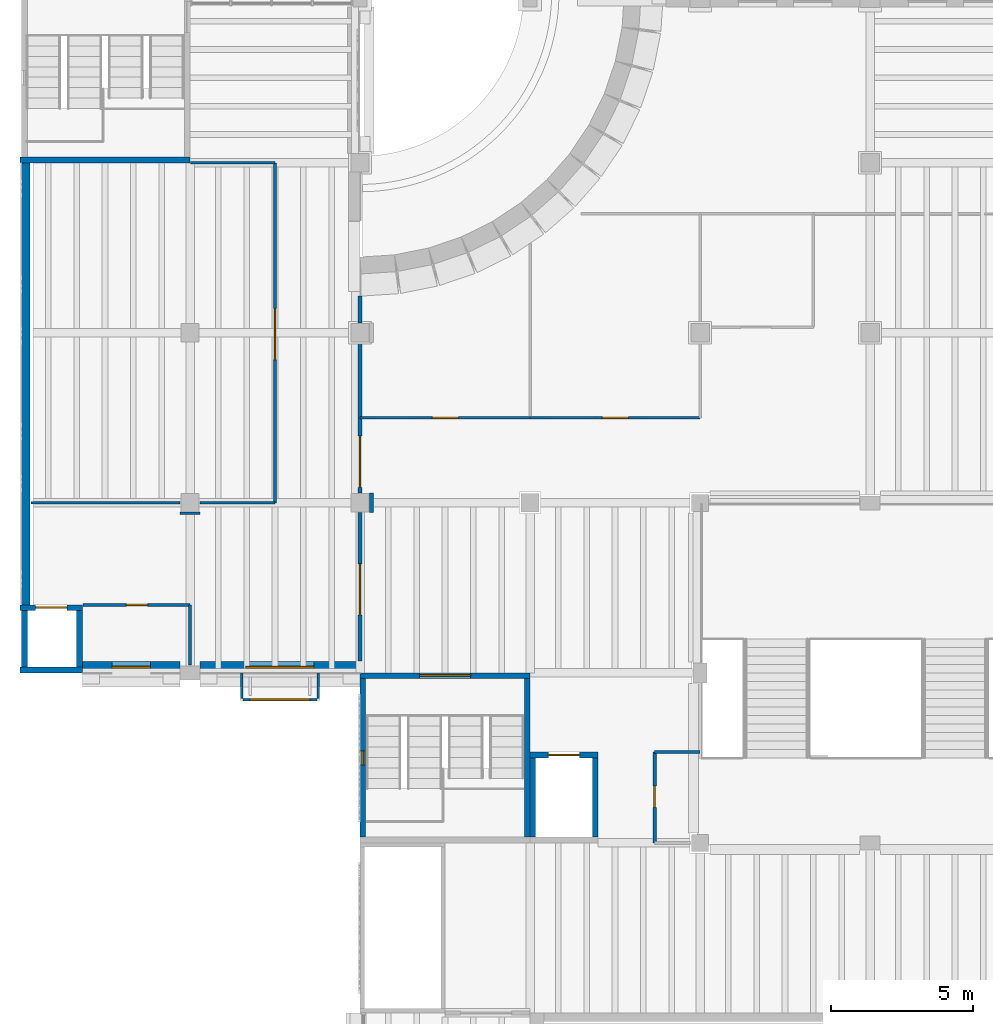
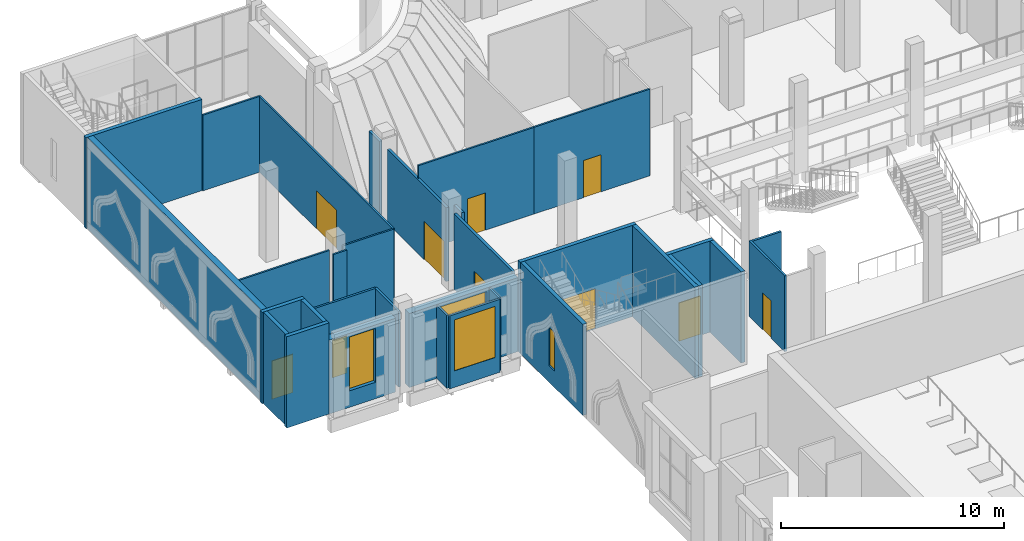
# One storey, part 43 of 80: 32 walls, 10 doors, 4 windows, 14 openings.
"""IFC4 building model written with IfcOpenShell, lengths in metres."""

from ifc_helpers import new_model, si_unit, direction, frame, frame_2d, origin, place, context, subcontext, project, spatial, rectangle, extrude, material, layer, layer_set, type_object, element, fill, save


model = new_model("IFC4")

# Units and contexts
model_context = context("Model", 3, precision=1e-05, world=origin(), true_north=direction((0.0, 1.0)))
body_context = subcontext(model_context, "Body", "Model", "MODEL_VIEW")
ifc_project = project(units=[si_unit("LENGTHUNIT", "METRE"), si_unit("AREAUNIT", "SQUARE_METRE"), si_unit("VOLUMEUNIT", "CUBIC_METRE"), si_unit("PLANEANGLEUNIT", "RADIAN"), si_unit("MASSUNIT", "GRAM", prefix="KILO")], contexts=[model_context])

# Site, building, storey
site_placement = place(None, origin())
site = spatial("IfcSite", under=ifc_project, at=site_placement, CompositionType="ELEMENT")
building_placement = place(site_placement, origin())
building = spatial("IfcBuilding", under=site, at=building_placement, Name="Saffron Lane Theatres", CompositionType="ELEMENT")
storey_placement = place(building_placement, frame((0.0, 0.0, 7.0)))
storey = spatial("IfcBuildingStorey", under=building, at=storey_placement, Name="L01", CompositionType="ELEMENT", Elevation=7.0)

# Walls
ifc_material_1 = material(Name="Timber hardwood", Category="wood")
ifc_layer_1 = layer(ifc_material_1, 0.10009765625)
ifc_layer_set_1 = layer_set([ifc_layer_1], Name="Timber hardwood")
wall_type_1 = type_object("IfcWallType", Name="EX-CUMBA PANEL 100", PredefinedType="SOLIDWALL", material=ifc_layer_set_1)
for number, where, z_axis, x_axis, name in (
    (1, (10.52490234375, 102.0, 0.0), (0.0, 0.0, 1.0), (0.0, -1.0, 0.0), "Cumba bay 1 side"),
    (2, (7.824951171875, 102.0, 0.0), (0.0, 0.0, 1.0), (0.0, -1.0, 0.0), "Cumba bay 1 side"),
):
    element("IfcWall", number, at=place(storey_placement, frame(where, z_axis=z_axis, x_axis=x_axis)), inside=storey, type_object=wall_type_1, Name=name, PredefinedType="SOLIDWALL", context=body_context, shape_type="SweptSolid", body=[
        extrude(rectangle(XDim=0.89990234375, YDim=0.10009765625, at=frame_2d((0.449951171875, 0.0))), origin(), (0.0, 0.0, 1.0), 4.0),
    ])

# Wall, opening, window
wall_1_placement = place(storey_placement, frame((10.47509765625, 101.050048828125, 0.0), z_axis=(0.0, 0.0, 1.0), x_axis=(-1.0, 0.0, 0.0)))
wall_1 = element("IfcWall", 3, at=wall_1_placement, inside=storey, type_object=wall_type_1, Name="Cumba bay 1 front", PredefinedType="SOLIDWALL", context=body_context, shape_type="SweptSolid", body=[
    extrude(rectangle(XDim=2.60009765625, YDim=0.10009765625, at=frame_2d((1.300048828125, 0.0))), origin(), (0.0, 0.0, 1.0), 4.0),
])
opening_1_placement = place(wall_1_placement, frame((0.25, 0.0, 0.89990234375)))
opening_1 = element("IfcOpeningElement", 4, at=opening_1_placement, cuts=wall_1, Name="Opening WN01-020", PredefinedType="OPENING", context=body_context, shape_type="SweptSolid", body=[
    extrude(rectangle(XDim=2.10009765625, YDim=2.800048828125, at=frame_2d((1.050048828125, 1.39990234375))), frame((0.0, 0.06005859375, 0.0), z_axis=(0.0, -1.0, 0.0), x_axis=(1.0, 0.0, 0.0)), (0.0, 0.0, 1.0), 0.1201171875),
])
ifc_material_2 = material(Name="Aluminium", Category="aluminium")
window_type_1 = type_object("IfcWindowType", Name="EX-WINDOW 2100x2800", PartitioningType="TRIPLE_PANEL_VERTICAL", PredefinedType="WINDOW", material=ifc_material_2)
window_1_placement = place(opening_1_placement, origin())
window_1 = element("IfcWindow", 5, at=window_1_placement, inside=storey, type_object=window_type_1, Name="Window L01 CB1 front", OverallHeight=2.800048828125, OverallWidth=2.10009765625, PartitioningType="SINGLE_PANEL", PredefinedType="WINDOW", context=body_context, shape_type="SweptSolid", body=[
    extrude(rectangle(XDim=2.10009765625, YDim=2.800048828125, at=frame_2d((1.050048828125, 1.39990234375))), frame((0.0, 0.030029296875, 0.0), z_axis=(0.0, -1.0, 0.0), x_axis=(1.0, 0.0, 0.0)), (0.0, 0.0, 1.0), 0.06005859375),
])
fill(opening_1, window_1)

ifc_material_3 = material(Name="Masonry pale clay brick", Category="masonry")
ifc_layer_2 = layer(ifc_material_3, 0.11, Name="facing leaf")
ifc_material_4 = material(Name="Air cavity", Category="air")
ifc_layer_3 = layer(ifc_material_4, 0.05, ventilated=True, Name="cavity")
ifc_material_5 = material(Name="Mineral wool insulation")
ifc_layer_4 = layer(ifc_material_5, 0.06, Name="insulation")
ifc_material_6 = material(Name="Concrete N40 (40 MPa)", Category="concrete")
ifc_layer_5 = layer(ifc_material_6, 0.18, Name="inner leaf")
ifc_layer_set_2 = layer_set([ifc_layer_2, ifc_layer_3, ifc_layer_4, ifc_layer_5], Name="Masonry pale clay brick")
wall_type_2 = type_object("IfcWallType", Name="EX-WALL BRICK 400", PredefinedType="SOLIDWALL", material=ifc_layer_set_2)
wall_2_placement = place(storey_placement, frame((12.0, 102.199951171875, 0.0), z_axis=(0.0, 0.0, 1.0), x_axis=(-1.0, 0.0, 0.0)))
wall_2 = element("IfcWall", 6, at=wall_2_placement, inside=storey, type_object=wall_type_2, Name="External wall L01 01", PredefinedType="SOLIDWALL", context=body_context, shape_type="SweptSolid", body=[
    extrude(rectangle(XDim=5.64990234375, YDim=0.39990234375, at=frame_2d((2.824951171875, 0.0))), origin(), (0.0, 0.0, 1.0), 4.050048828125),
])
opening_2_placement = place(wall_2_placement, frame((1.625, 0.0, 0.89990234375)))
opening_2 = element("IfcOpeningElement", 7, at=opening_2_placement, cuts=wall_2, Name="Opening WN01-019", PredefinedType="OPENING", context=body_context, shape_type="SweptSolid", body=[
    extrude(rectangle(XDim=2.39990234375, YDim=2.949951171875, at=frame_2d((1.199951171875, 1.47509765625))), frame((0.0, 0.2099609375, 0.0), z_axis=(0.0, -1.0, 0.0), x_axis=(1.0, 0.0, 0.0)), (0.0, 0.0, 1.0), 0.419921875),
])
ifc_material_7 = material(Name="Aluminium", Category="aluminium")
window_type_2 = type_object("IfcWindowType", Name="EX-WINDOW 2400x2950", PartitioningType="TRIPLE_PANEL_VERTICAL", PredefinedType="WINDOW", material=ifc_material_7)
window_2_placement = place(opening_2_placement, origin())
window_2 = element("IfcWindow", 8, at=window_2_placement, inside=storey, type_object=window_type_2, Name="Window L01 CB1", OverallHeight=2.949951171875, OverallWidth=2.39990234375, PartitioningType="SINGLE_PANEL", PredefinedType="WINDOW", context=body_context, shape_type="SweptSolid", body=[
    extrude(rectangle(XDim=2.39990234375, YDim=2.949951171875, at=frame_2d((1.199951171875, 1.47509765625))), frame((0.0, 0.030029296875, 0.0), z_axis=(0.0, -1.0, 0.0), x_axis=(1.0, 0.0, 0.0)), (0.0, 0.0, 1.0), 0.06005859375),
])
fill(opening_2, window_2)

wall_3_placement = place(storey_placement, frame((5.64990234375, 102.199951171875, 0.0), z_axis=(0.0, 0.0, 1.0), x_axis=(-1.0, 0.0, 0.0)))
wall_3 = element("IfcWall", 9, at=wall_3_placement, inside=storey, type_object=wall_type_2, Name="External wall L01 02", PredefinedType="SOLIDWALL", context=body_context, shape_type="SweptSolid", body=[
    extrude(rectangle(XDim=3.449951171875, YDim=0.39990234375, at=frame_2d((1.72509765625, 0.0))), origin(), (0.0, 0.0, 1.0), 4.050048828125),
])
opening_3_placement = place(wall_3_placement, frame((1.050048828125, 0.0, 0.89990234375)))
opening_3 = element("IfcOpeningElement", 10, at=opening_3_placement, cuts=wall_3, Name="Opening WN01-001", PredefinedType="OPENING", context=body_context, shape_type="SweptSolid", body=[
    extrude(rectangle(XDim=1.35009765625, YDim=2.949951171875, at=frame_2d((0.675048828125, 1.47509765625))), frame((0.0, 0.2099609375, 0.0), z_axis=(0.0, -1.0, 0.0), x_axis=(1.0, 0.0, 0.0)), (0.0, 0.0, 1.0), 0.419921875),
])
ifc_material_8 = material(Name="Aluminium", Category="aluminium")
window_type_3 = type_object("IfcWindowType", Name="EX-WINDOW 1350x2950", PartitioningType="SINGLE_PANEL", PredefinedType="WINDOW", material=ifc_material_8)
window_3_placement = place(opening_3_placement, origin())
window_3 = element("IfcWindow", 11, at=window_3_placement, inside=storey, type_object=window_type_3, Name="Window L01 001", OverallHeight=2.949951171875, OverallWidth=1.35009765625, PartitioningType="SINGLE_PANEL", PredefinedType="WINDOW", context=body_context, shape_type="SweptSolid", body=[
    extrude(rectangle(XDim=1.35009765625, YDim=2.949951171875, at=frame_2d((0.675048828125, 1.47509765625))), frame((0.0, 0.030029296875, 0.0), z_axis=(0.0, -1.0, 0.0), x_axis=(1.0, 0.0, 0.0)), (0.0, 0.0, 1.0), 0.06005859375),
])
fill(opening_3, window_3)

# Wall
ifc_material_9 = material(Name="Masonry block partition", Category="masonry")
ifc_layer_6 = layer(ifc_material_9, 0.110107421875)
ifc_layer_set_3 = layer_set([ifc_layer_6], Name="Masonry block partition")
wall_type_3 = type_object("IfcWallType", Name="IN-BLOCK PARTITION 110", PredefinedType="PARTITIONING", material=ifc_layer_set_3)
wall_4_placement = place(storey_placement, frame((6.0, 102.27001953125, 0.0), z_axis=(0.0, 0.0, 1.0), x_axis=(0.0, 1.0, 0.0)))
element("IfcWall", 12, at=wall_4_placement, inside=storey, type_object=wall_type_3, Name="PW-L01-022", PredefinedType="PARTITIONING", context=body_context, shape_type="SweptSolid", body=[
    extrude(rectangle(XDim=2.1298828125, YDim=0.110107421875, at=frame_2d((1.06494140625, 0.0))), origin(), (0.0, 0.0, 1.0), 4.14990234375),
])

# Wall, opening, door
wall_5_placement = place(storey_placement, frame((2.219970703125, 104.39990234375, 0.0), z_axis=(0.0, 0.0, 1.0), x_axis=(1.0, 0.0, 0.0)))
wall_5 = element("IfcWall", 13, at=wall_5_placement, inside=storey, type_object=wall_type_3, Name="PW-L01-023", PredefinedType="PARTITIONING", context=body_context, shape_type="SweptSolid", body=[
    extrude(rectangle(XDim=3.780029296875, YDim=0.110107421875, at=frame_2d((1.89013671875, 0.0))), origin(), (0.0, 0.0, 1.0), 4.14990234375),
])
opening_4_placement = place(wall_5_placement, frame((1.530029296875, 0.0, 0.0)))
opening_4 = element("IfcOpeningElement", 14, at=opening_4_placement, cuts=wall_5, Name="Opening D01-56", PredefinedType="OPENING", context=body_context, shape_type="SweptSolid", body=[
    extrude(rectangle(XDim=0.75, YDim=2.0400390625, at=frame_2d((0.375, 1.02001953125))), frame((0.0, 0.06494140625, 0.0), z_axis=(0.0, -1.0, 0.0), x_axis=(1.0, 0.0, 0.0)), (0.0, 0.0, 1.0), 0.130126953125),
])
ifc_material_10 = material(Name="Steel faced fire door leaf", Category="steel")
door_type_1 = type_object("IfcDoorType", Name="IN-DOOR 750x2040 FD60", OperationType="NOTDEFINED", PredefinedType="DOOR", material=ifc_material_10)
door_1_placement = place(opening_4_placement, frame((0.75, 0.0, 0.0), z_axis=(0.0, 0.0, 1.0), x_axis=(-1.0, 0.0, 0.0)))
door_1 = element("IfcDoor", 15, at=door_1_placement, inside=storey, type_object=door_type_1, Name="D01-56", OperationType="SINGLE_SWING_RIGHT", OverallHeight=2.0400390625, OverallWidth=0.75, PredefinedType="DOOR", context=body_context, shape_type="SweptSolid", body=[
    extrude(rectangle(XDim=0.75, YDim=2.0400390625, at=frame_2d((0.375, 1.02001953125))), frame((0.0, 0.02490234375, 0.0), z_axis=(0.0, -1.0, 0.0), x_axis=(1.0, 0.0, 0.0)), (0.0, 0.0, 1.0), 0.050048828125),
])
fill(opening_4, door_1)

# Wall
wall_6_placement = place(storey_placement, frame((22.39990234375, 99.199951171875, 0.0), z_axis=(0.0, 0.0, 1.0), x_axis=(1.0, 0.0, 0.0)))
element("IfcWall", 16, at=wall_6_placement, inside=storey, type_object=wall_type_3, Name="PW-L01-033", PredefinedType="PARTITIONING", context=body_context, shape_type="SweptSolid", body=[
    extrude(rectangle(XDim=1.60009765625, YDim=0.110107421875, at=frame_2d((0.800048828125, 0.0))), origin(), (0.0, 0.0, 1.0), 4.10009765625),
])

# Wall, opening, door
wall_7_placement = place(storey_placement, frame((22.39990234375, 96.0, 0.0), z_axis=(0.0, 0.0, 1.0), x_axis=(0.0, 1.0, 0.0)))
wall_7 = element("IfcWall", 17, at=wall_7_placement, inside=storey, type_object=wall_type_3, Name="PW-L01-034", PredefinedType="PARTITIONING", context=body_context, shape_type="SweptSolid", body=[
    extrude(rectangle(XDim=3.199951171875, YDim=0.110107421875, at=frame_2d((1.60009765625, 0.0))), origin(), (0.0, 0.0, 1.0), 4.14990234375),
])
opening_5_placement = place(wall_7_placement, frame((1.25, 0.0, 0.0)))
opening_5 = element("IfcOpeningElement", 18, at=opening_5_placement, cuts=wall_7, Name="Opening D01-50", PredefinedType="OPENING", context=body_context, shape_type="SweptSolid", body=[
    extrude(rectangle(XDim=0.75, YDim=2.0400390625, at=frame_2d((0.375, 1.02001953125))), frame((0.0, 0.06494140625, 0.0), z_axis=(0.0, -1.0, 0.0), x_axis=(1.0, 0.0, 0.0)), (0.0, 0.0, 1.0), 0.130126953125),
])
door_2_placement = place(opening_5_placement, frame((0.75, 0.0, 0.0), z_axis=(0.0, 0.0, 1.0), x_axis=(-1.0, 0.0, 0.0)))
door_2 = element("IfcDoor", 19, at=door_2_placement, inside=storey, type_object=door_type_1, Name="D01-50", OperationType="SINGLE_SWING_RIGHT", OverallHeight=2.0400390625, OverallWidth=0.75, PredefinedType="DOOR", context=body_context, shape_type="SweptSolid", body=[
    extrude(rectangle(XDim=0.75, YDim=2.0400390625, at=frame_2d((0.375, 1.02001953125))), frame((0.0, 0.02490234375, 0.0), z_axis=(0.0, -1.0, 0.0), x_axis=(1.0, 0.0, 0.0)), (0.0, 0.0, 1.0), 0.050048828125),
])
fill(opening_5, door_2)

# Wall
ifc_material_11 = material(Name="Masonry block partition", Category="masonry")
ifc_layer_7 = layer(ifc_material_11, 0.139892578125)
ifc_layer_set_4 = layer_set([ifc_layer_7], Name="Masonry block partition")
wall_type_4 = type_object("IfcWallType", Name="IN-BLOCK PARTITION 140", PredefinedType="PARTITIONING", material=ifc_layer_set_4)
wall_8_placement = place(storey_placement, frame((12.0, 114.344970703125, 0.0), z_axis=(0.0, 0.0, 1.0), x_axis=(0.0, 1.0, 0.0)))
element("IfcWall", 20, at=wall_8_placement, inside=storey, type_object=wall_type_4, Name="PW-L01-049", PredefinedType="PARTITIONING", context=body_context, shape_type="SweptSolid", body=[
    extrude(rectangle(XDim=0.947509765625, YDim=0.139892578125, at=frame_2d((0.4736328125, 0.0))), origin(), (0.0, 0.0, 1.0), 4.050048828125),
])

# Wall, opening, door
wall_9_placement = place(storey_placement, frame((12.0, 108.344970703125, 0.0), z_axis=(0.0, 0.0, 1.0), x_axis=(0.0, 1.0, 0.0)))
wall_9 = element("IfcWall", 21, at=wall_9_placement, inside=storey, type_object=wall_type_4, Name="PW-L01-050", PredefinedType="PARTITIONING", context=body_context, shape_type="SweptSolid", body=[
    extrude(rectangle(XDim=5.31005859375, YDim=0.139892578125, at=frame_2d((2.655029296875, 0.0))), origin(), (0.0, 0.0, 1.0), 4.050048828125),
])
opening_6_placement = place(wall_9_placement, frame((0.205078125, 0.0, 0.0)))
opening_6 = element("IfcOpeningElement", 22, at=opening_6_placement, cuts=wall_9, Name="Opening D01-64", PredefinedType="OPENING", context=body_context, shape_type="SweptSolid", body=[
    extrude(rectangle(XDim=1.800048828125, YDim=2.10009765625, at=frame_2d((0.89990234375, 1.050048828125))), frame((0.0, 0.080078125, 0.0), z_axis=(0.0, -1.0, 0.0), x_axis=(1.0, 0.0, 0.0)), (0.0, 0.0, 1.0), 0.159912109375),
])
ifc_material_12 = material(Name="Steel faced fire door leaf", Category="steel")
door_type_2 = type_object("IfcDoorType", Name="IN-DOOR 1800x2100 FD120", OperationType="DOUBLE_DOOR_SINGLE_SWING", PredefinedType="DOOR", material=ifc_material_12)
door_3_placement = place(opening_6_placement, frame((1.800048828125, 0.0, 0.0), z_axis=(0.0, 0.0, 1.0), x_axis=(-1.0, 0.0, 0.0)))
door_3 = element("IfcDoor", 23, at=door_3_placement, inside=storey, type_object=door_type_2, Name="D01-64", OperationType="DOUBLE_DOOR_SINGLE_SWING", OverallHeight=2.10009765625, OverallWidth=1.800048828125, PredefinedType="DOOR", context=body_context, shape_type="SweptSolid", body=[
    extrude(rectangle(XDim=1.800048828125, YDim=2.10009765625, at=frame_2d((0.89990234375, 1.050048828125))), frame((0.0, 0.02490234375, 0.0), z_axis=(0.0, -1.0, 0.0), x_axis=(1.0, 0.0, 0.0)), (0.0, 0.0, 1.0), 0.050048828125),
])
fill(opening_6, door_3)

wall_10_placement = place(storey_placement, frame((12.0, 102.419921875, 0.0), z_axis=(0.0, 0.0, 1.0), x_axis=(0.0, 1.0, 0.0)))
wall_10 = element("IfcWall", 24, at=wall_10_placement, inside=storey, type_object=wall_type_4, Name="PW-L01-051", PredefinedType="PARTITIONING", context=body_context, shape_type="SweptSolid", body=[
    extrude(rectangle(XDim=5.235107421875, YDim=0.139892578125, at=frame_2d((2.61767578125, 0.0))), origin(), (0.0, 0.0, 1.0), 4.14990234375),
])
opening_7_placement = place(wall_10_placement, frame((1.6298828125, 0.0, 0.0)))
opening_7 = element("IfcOpeningElement", 25, at=opening_7_placement, cuts=wall_10, Name="Opening D01-63", PredefinedType="OPENING", context=body_context, shape_type="SweptSolid", body=[
    extrude(rectangle(XDim=1.800048828125, YDim=2.10009765625, at=frame_2d((0.89990234375, 1.050048828125))), frame((0.0, 0.080078125, 0.0), z_axis=(0.0, -1.0, 0.0), x_axis=(1.0, 0.0, 0.0)), (0.0, 0.0, 1.0), 0.159912109375),
])
door_4_placement = place(opening_7_placement, frame((1.800048828125, 0.0, 0.0), z_axis=(0.0, 0.0, 1.0), x_axis=(-1.0, 0.0, 0.0)))
door_4 = element("IfcDoor", 26, at=door_4_placement, inside=storey, type_object=door_type_2, Name="D01-63", OperationType="DOUBLE_DOOR_SINGLE_SWING", OverallHeight=2.10009765625, OverallWidth=1.800048828125, PredefinedType="DOOR", context=body_context, shape_type="SweptSolid", body=[
    extrude(rectangle(XDim=1.800048828125, YDim=2.10009765625, at=frame_2d((0.89990234375, 1.050048828125))), frame((0.0, 0.02490234375, 0.0), z_axis=(0.0, -1.0, 0.0), x_axis=(1.0, 0.0, 0.0)), (0.0, 0.0, 1.0), 0.050048828125),
])
fill(opening_7, door_4)

# Walls
wall_11_placement = place(storey_placement, frame((12.39990234375, 107.655029296875, 0.0), z_axis=(0.0, 0.0, 1.0), x_axis=(0.0, 1.0, 0.0)))
element("IfcWall", 27, at=wall_11_placement, inside=storey, type_object=wall_type_4, Name="PW-L01-053", PredefinedType="PARTITIONING", context=body_context, shape_type="SweptSolid", body=[
    extrude(rectangle(XDim=0.68994140625, YDim=0.139892578125, at=frame_2d((0.344970703125, 0.0))), origin(), (0.0, 0.0, 1.0), 4.050048828125),
])
ifc_material_13 = material(Name="Plasterboard on 90 mm steel studs", Category="steel")
ifc_layer_8 = layer(ifc_material_13, 0.090087890625)
ifc_layer_set_5 = layer_set([ifc_layer_8], Name="Plasterboard on 90 mm steel studs")
wall_type_5 = type_object("IfcWallType", Name="IN-STUD PARTITION 090", PredefinedType="PARTITIONING", material=ifc_layer_set_5)
wall_12_placement = place(storey_placement, frame((0.3798828125, 108.0, 0.0), z_axis=(0.0, 0.0, 1.0), x_axis=(1.0, 0.0, 0.0)))
element("IfcWall", 28, at=wall_12_placement, inside=storey, type_object=wall_type_5, Name="PW-L01-072", PredefinedType="PARTITIONING", context=body_context, shape_type="SweptSolid", body=[
    extrude(rectangle(XDim=5.275146484375, YDim=0.090087890625, at=frame_2d((2.6376953125, 0.0))), origin(), (0.0, 0.0, 1.0), 4.14990234375),
])
wall_13_placement = place(storey_placement, frame((6.344970703125, 108.0, 0.0), z_axis=(0.0, 0.0, 1.0), x_axis=(1.0, 0.0, 0.0)))
element("IfcWall", 29, at=wall_13_placement, inside=storey, type_object=wall_type_5, Name="PW-L01-073", PredefinedType="PARTITIONING", context=body_context, shape_type="SweptSolid", body=[
    extrude(rectangle(XDim=2.655029296875, YDim=0.090087890625, at=frame_2d((1.32763671875, 0.0))), origin(), (0.0, 0.0, 1.0), 4.14990234375),
])
wall_14_placement = place(storey_placement, frame((5.655029296875, 107.625, 0.0), z_axis=(0.0, 0.0, 1.0), x_axis=(1.0, 0.0, 0.0)))
element("IfcWall", 30, at=wall_14_placement, inside=storey, type_object=wall_type_5, Name="PW-L01-074", PredefinedType="PARTITIONING", context=body_context, shape_type="SweptSolid", body=[
    extrude(rectangle(XDim=0.68994140625, YDim=0.090087890625, at=frame_2d((0.344970703125, 0.0))), origin(), (0.0, 0.0, 1.0), 4.14990234375),
])

# Wall, opening, door
wall_15_placement = place(storey_placement, frame((9.0, 108.0, 0.0), z_axis=(0.0, 0.0, 1.0), x_axis=(0.0, 1.0, 0.0)))
wall_15 = element("IfcWall", 31, at=wall_15_placement, inside=storey, type_object=wall_type_5, Name="PW-L01-075", PredefinedType="PARTITIONING", context=body_context, shape_type="SweptSolid", body=[
    extrude(rectangle(XDim=12.0, YDim=0.090087890625, at=frame_2d((6.0, 0.0))), origin(), (0.0, 0.0, 1.0), 4.14990234375),
])
opening_8_placement = place(wall_15_placement, frame((5.050048828125, 0.0, 0.0)))
opening_8 = element("IfcOpeningElement", 32, at=opening_8_placement, cuts=wall_15, Name="Opening D01-01", PredefinedType="OPENING", context=body_context, shape_type="SweptSolid", body=[
    extrude(rectangle(XDim=1.800048828125, YDim=2.10009765625, at=frame_2d((0.89990234375, 1.050048828125))), frame((0.0, 0.05517578125, 0.0), z_axis=(0.0, -1.0, 0.0), x_axis=(1.0, 0.0, 0.0)), (0.0, 0.0, 1.0), 0.110107421875),
])
ifc_material_14 = material(Name="Timber door leaf", Category="wood")
door_type_3 = type_object("IfcDoorType", Name="IN-DOOR 1800x2100", OperationType="DOUBLE_DOOR_SINGLE_SWING", PredefinedType="DOOR", material=ifc_material_14)
door_5_placement = place(opening_8_placement, origin())
door_5 = element("IfcDoor", 33, at=door_5_placement, inside=storey, type_object=door_type_3, Name="D01-01", OperationType="DOUBLE_DOOR_SINGLE_SWING", OverallHeight=2.10009765625, OverallWidth=1.800048828125, PredefinedType="DOOR", context=body_context, shape_type="SweptSolid", body=[
    extrude(rectangle(XDim=1.800048828125, YDim=2.10009765625, at=frame_2d((0.89990234375, 1.050048828125))), frame((0.0, 0.02490234375, 0.0), z_axis=(0.0, -1.0, 0.0), x_axis=(1.0, 0.0, 0.0)), (0.0, 0.0, 1.0), 0.050048828125),
])
fill(opening_8, door_5)

# Wall
wall_16_placement = place(storey_placement, frame((6.02001953125, 120.0, 0.0), z_axis=(0.0, 0.0, 1.0), x_axis=(1.0, 0.0, 0.0)))
element("IfcWall", 34, at=wall_16_placement, inside=storey, type_object=wall_type_5, Name="PW-L01-076", PredefinedType="PARTITIONING", context=body_context, shape_type="SweptSolid", body=[
    extrude(rectangle(XDim=2.97998046875, YDim=0.090087890625, at=frame_2d((1.489990234375, 0.0))), origin(), (0.0, 0.0, 1.0), 4.14990234375),
])

# Wall, opening, door
wall_17_placement = place(storey_placement, frame((12.0, 111.0, 0.0), z_axis=(0.0, 0.0, 1.0), x_axis=(1.0, 0.0, 0.0)))
wall_17 = element("IfcWall", 35, at=wall_17_placement, inside=storey, type_object=wall_type_5, Name="PW-L01-077", PredefinedType="PARTITIONING", context=body_context, shape_type="SweptSolid", body=[
    extrude(rectangle(XDim=6.0, YDim=0.090087890625, at=frame_2d((3.0, 0.0))), origin(), (0.0, 0.0, 1.0), 4.75),
])
opening_9_placement = place(wall_17_placement, frame((2.550048828125, 0.0, 0.0)))
opening_9 = element("IfcOpeningElement", 36, at=opening_9_placement, cuts=wall_17, Name="Opening D01-03", PredefinedType="OPENING", context=body_context, shape_type="SweptSolid", body=[
    extrude(rectangle(XDim=0.919921875, YDim=2.0400390625, at=frame_2d((0.4599609375, 1.02001953125))), frame((0.0, 0.05517578125, 0.0), z_axis=(0.0, -1.0, 0.0), x_axis=(1.0, 0.0, 0.0)), (0.0, 0.0, 1.0), 0.110107421875),
])
ifc_material_15 = material(Name="Timber door leaf", Category="wood")
door_type_4 = type_object("IfcDoorType", Name="IN-DOOR 920x2040", OperationType="NOTDEFINED", PredefinedType="DOOR", material=ifc_material_15)
door_6_placement = place(opening_9_placement, origin())
door_6 = element("IfcDoor", 37, at=door_6_placement, inside=storey, type_object=door_type_4, Name="D01-03", OperationType="SINGLE_SWING_RIGHT", OverallHeight=2.0400390625, OverallWidth=0.919921875, PredefinedType="DOOR", context=body_context, shape_type="SweptSolid", body=[
    extrude(rectangle(XDim=0.919921875, YDim=2.0400390625, at=frame_2d((0.4599609375, 1.02001953125))), frame((0.0, 0.02490234375, 0.0), z_axis=(0.0, -1.0, 0.0), x_axis=(1.0, 0.0, 0.0)), (0.0, 0.0, 1.0), 0.050048828125),
])
fill(opening_9, door_6)

wall_18_placement = place(storey_placement, frame((18.0, 111.0, 0.0), z_axis=(0.0, 0.0, 1.0), x_axis=(1.0, 0.0, 0.0)))
wall_18 = element("IfcWall", 38, at=wall_18_placement, inside=storey, type_object=wall_type_5, Name="PW-L01-079", PredefinedType="PARTITIONING", context=body_context, shape_type="SweptSolid", body=[
    extrude(rectangle(XDim=6.0, YDim=0.090087890625, at=frame_2d((3.0, 0.0))), origin(), (0.0, 0.0, 1.0), 4.75),
])
opening_10_placement = place(wall_18_placement, frame((2.550048828125, 0.0, 0.0)))
opening_10 = element("IfcOpeningElement", 39, at=opening_10_placement, cuts=wall_18, Name="Opening D01-04", PredefinedType="OPENING", context=body_context, shape_type="SweptSolid", body=[
    extrude(rectangle(XDim=0.919921875, YDim=2.0400390625, at=frame_2d((0.4599609375, 1.02001953125))), frame((0.0, 0.05517578125, 0.0), z_axis=(0.0, -1.0, 0.0), x_axis=(1.0, 0.0, 0.0)), (0.0, 0.0, 1.0), 0.110107421875),
])
door_7_placement = place(opening_10_placement, origin())
door_7 = element("IfcDoor", 40, at=door_7_placement, inside=storey, type_object=door_type_4, Name="D01-04", OperationType="SINGLE_SWING_RIGHT", OverallHeight=2.0400390625, OverallWidth=0.919921875, PredefinedType="DOOR", context=body_context, shape_type="SweptSolid", body=[
    extrude(rectangle(XDim=0.919921875, YDim=2.0400390625, at=frame_2d((0.4599609375, 1.02001953125))), frame((0.0, 0.02490234375, 0.0), z_axis=(0.0, -1.0, 0.0), x_axis=(1.0, 0.0, 0.0)), (0.0, 0.0, 1.0), 0.050048828125),
])
fill(opening_10, door_7)

ifc_material_16 = material(Name="Concrete N50 (50 MPa)", Category="concrete")
ifc_layer_9 = layer(ifc_material_16, 0.199951171875)
ifc_layer_set_6 = layer_set([ifc_layer_9], Name="Concrete N50 (50 MPa)")
wall_type_6 = type_object("IfcWallType", Name="RC-CORE 200", PredefinedType="SHEAR", material=ifc_layer_set_6)
wall_19_placement = place(storey_placement, frame((12.0, 101.89990234375, 0.0), z_axis=(0.0, 0.0, 1.0), x_axis=(1.0, 0.0, 0.0)))
wall_19 = element("IfcWall", 41, at=wall_19_placement, inside=storey, type_object=wall_type_6, Name="W-ST1-N-L01", PredefinedType="SHEAR", context=body_context, shape_type="SweptSolid", body=[
    extrude(rectangle(XDim=6.0, YDim=0.199951171875, at=frame_2d((3.0, 0.0))), origin(), (0.0, 0.0, 1.0), 5.0),
])
opening_11_placement = place(wall_19_placement, frame((2.10009765625, 0.0, 0.0)))
opening_11 = element("IfcOpeningElement", 42, at=opening_11_placement, cuts=wall_19, Name="Opening D01-32", PredefinedType="OPENING", context=body_context, shape_type="SweptSolid", body=[
    extrude(rectangle(XDim=1.800048828125, YDim=2.199951171875, at=frame_2d((0.89990234375, 1.10009765625))), frame((0.0, 0.10986328125, 0.0), z_axis=(0.0, -1.0, 0.0), x_axis=(1.0, 0.0, 0.0)), (0.0, 0.0, 1.0), 0.219970703125),
])
ifc_material_17 = material(Name="Steel faced fire door leaf", Category="steel")
door_type_5 = type_object("IfcDoorType", Name="IN-DOOR 1800x2200 FD120", OperationType="DOUBLE_DOOR_SINGLE_SWING", PredefinedType="DOOR", material=ifc_material_17)
door_8_placement = place(opening_11_placement, frame((1.800048828125, 0.0, 0.0), z_axis=(0.0, 0.0, 1.0), x_axis=(-1.0, 0.0, 0.0)))
door_8 = element("IfcDoor", 43, at=door_8_placement, inside=storey, type_object=door_type_5, Name="D01-32", OperationType="DOUBLE_DOOR_SINGLE_SWING", OverallHeight=2.199951171875, OverallWidth=1.800048828125, PredefinedType="DOOR", context=body_context, shape_type="SweptSolid", body=[
    extrude(rectangle(XDim=1.800048828125, YDim=2.199951171875, at=frame_2d((0.89990234375, 1.10009765625))), frame((0.0, 0.02490234375, 0.0), z_axis=(0.0, -1.0, 0.0), x_axis=(1.0, 0.0, 0.0)), (0.0, 0.0, 1.0), 0.050048828125),
])
fill(opening_11, door_8)

# Walls
wall_20_placement = place(storey_placement, frame((17.89990234375, 96.199951171875, 0.0), z_axis=(0.0, 0.0, 1.0), x_axis=(0.0, 1.0, 0.0)))
element("IfcWall", 44, at=wall_20_placement, inside=storey, type_object=wall_type_6, Name="W-ST1-E-L01", PredefinedType="SHEAR", context=body_context, shape_type="SweptSolid", body=[
    extrude(rectangle(XDim=5.60009765625, YDim=0.199951171875, at=frame_2d((2.800048828125, 0.0))), origin(), (0.0, 0.0, 1.0), 5.0),
])
wall_21_placement = place(storey_placement, frame((0.0, 120.10009765625, 0.0), z_axis=(0.0, 0.0, 1.0), x_axis=(1.0, 0.0, 0.0)))
element("IfcWall", 45, at=wall_21_placement, inside=storey, type_object=wall_type_6, Name="W-ST14-S-L01", PredefinedType="SHEAR", context=body_context, shape_type="SweptSolid", body=[
    extrude(rectangle(XDim=6.0, YDim=0.199951171875, at=frame_2d((3.0, 0.0))), origin(), (0.0, 0.0, 1.0), 5.0),
])

# Wall, opening, door
wall_22_placement = place(storey_placement, frame((18.0, 99.10009765625, 0.0), z_axis=(0.0, 0.0, 1.0), x_axis=(1.0, 0.0, 0.0)))
wall_22 = element("IfcWall", 46, at=wall_22_placement, inside=storey, type_object=wall_type_6, Name="W-LC1-N-L01", PredefinedType="SHEAR", context=body_context, shape_type="SweptSolid", body=[
    extrude(rectangle(XDim=2.39990234375, YDim=0.199951171875, at=frame_2d((1.199951171875, 0.0))), origin(), (0.0, 0.0, 1.0), 5.0),
])
opening_12_placement = place(wall_22_placement, frame((0.64990234375, 0.0, 0.0)))
opening_12 = element("IfcOpeningElement", 47, at=opening_12_placement, cuts=wall_22, Name="Opening LD2", PredefinedType="OPENING", context=body_context, shape_type="SweptSolid", body=[
    extrude(rectangle(XDim=1.10009765625, YDim=2.10009765625, at=frame_2d((0.550048828125, 1.050048828125))), frame((0.0, 0.10986328125, 0.0), z_axis=(0.0, -1.0, 0.0), x_axis=(1.0, 0.0, 0.0)), (0.0, 0.0, 1.0), 0.219970703125),
])
ifc_material_18 = material(Name="Stainless steel 316", Category="steel")
door_type_6 = type_object("IfcDoorType", Name="VC-LANDING DOOR 1100x2100", OperationType="DOUBLE_DOOR_SLIDING", PredefinedType="DOOR", material=ifc_material_18)
door_9_placement = place(opening_12_placement, origin())
door_9 = element("IfcDoor", 48, at=door_9_placement, inside=storey, type_object=door_type_6, Name="Landing doors LC1 L01", OperationType="DOUBLE_DOOR_SLIDING", OverallHeight=2.10009765625, OverallWidth=1.10009765625, PredefinedType="DOOR", context=body_context, shape_type="SweptSolid", body=[
    extrude(rectangle(XDim=1.10009765625, YDim=2.10009765625, at=frame_2d((0.550048828125, 1.050048828125))), frame((0.0, 0.02490234375, 0.0), z_axis=(0.0, -1.0, 0.0), x_axis=(1.0, 0.0, 0.0)), (0.0, 0.0, 1.0), 0.050048828125),
])
fill(opening_12, door_9)

# Walls
for number, where, z_axis, x_axis, name in (
    (49, (18.10009765625, 96.199951171875, 0.0), (0.0, 0.0, 1.0), (0.0, 1.0, 0.0), "W-LC1-W-L01"),
    (50, (20.300048828125, 96.199951171875, 0.0), (0.0, 0.0, 1.0), (0.0, 1.0, 0.0), "W-LC1-E-L01"),
):
    element("IfcWall", number, at=place(storey_placement, frame(where, z_axis=z_axis, x_axis=x_axis)), inside=storey, type_object=wall_type_6, Name=name, PredefinedType="SHEAR", context=body_context, shape_type="SweptSolid", body=[
        extrude(rectangle(XDim=2.800048828125, YDim=0.199951171875, at=frame_2d((1.39990234375, 0.0))), origin(), (0.0, 0.0, 1.0), 5.0),
    ])

# Wall, opening, door
wall_23_placement = place(storey_placement, frame((0.0, 104.300048828125, 0.0), z_axis=(0.0, 0.0, 1.0), x_axis=(1.0, 0.0, 0.0)))
wall_23 = element("IfcWall", 51, at=wall_23_placement, inside=storey, type_object=wall_type_6, Name="W-LC7-N-L01", PredefinedType="SHEAR", context=body_context, shape_type="SweptSolid", body=[
    extrude(rectangle(XDim=2.199951171875, YDim=0.199951171875, at=frame_2d((1.10009765625, 0.0))), origin(), (0.0, 0.0, 1.0), 5.0),
])
opening_13_placement = place(wall_23_placement, frame((0.550048828125, 0.0, 0.0)))
opening_13 = element("IfcOpeningElement", 52, at=opening_13_placement, cuts=wall_23, Name="Opening LD24", PredefinedType="OPENING", context=body_context, shape_type="SweptSolid", body=[
    extrude(rectangle(XDim=1.10009765625, YDim=2.10009765625, at=frame_2d((0.550048828125, 1.050048828125))), frame((0.0, 0.10986328125, 0.0), z_axis=(0.0, -1.0, 0.0), x_axis=(1.0, 0.0, 0.0)), (0.0, 0.0, 1.0), 0.219970703125),
])
door_10_placement = place(opening_13_placement, origin())
door_10 = element("IfcDoor", 53, at=door_10_placement, inside=storey, type_object=door_type_6, Name="Landing doors LC7 L01", OperationType="DOUBLE_DOOR_SLIDING", OverallHeight=2.10009765625, OverallWidth=1.10009765625, PredefinedType="DOOR", context=body_context, shape_type="SweptSolid", body=[
    extrude(rectangle(XDim=1.10009765625, YDim=2.10009765625, at=frame_2d((0.550048828125, 1.050048828125))), frame((0.0, 0.02490234375, 0.0), z_axis=(0.0, -1.0, 0.0), x_axis=(1.0, 0.0, 0.0)), (0.0, 0.0, 1.0), 0.050048828125),
])
fill(opening_13, door_10)

# Wall
wall_24_placement = place(storey_placement, frame((2.10009765625, 102.199951171875, 0.0), z_axis=(0.0, 0.0, 1.0), x_axis=(0.0, 1.0, 0.0)))
element("IfcWall", 54, at=wall_24_placement, inside=storey, type_object=wall_type_6, Name="W-LC7-E-L01", PredefinedType="SHEAR", context=body_context, shape_type="SweptSolid", body=[
    extrude(rectangle(XDim=2.0, YDim=0.199951171875, at=frame_2d((1.0, 0.0))), origin(), (0.0, 0.0, 1.0), 5.0),
])

# Wall, opening, window
ifc_material_19 = material(Name="Concrete N50 (50 MPa)", Category="concrete")
ifc_layer_10 = layer(ifc_material_19, 0.199951171875)
ifc_layer_set_7 = layer_set([ifc_layer_10], Name="Concrete N50 (50 MPa)")
wall_type_7 = type_object("IfcWallType", Name="RC-CORE EXTERNAL 200", PredefinedType="SHEAR", material=ifc_layer_set_7)
wall_25_placement = place(storey_placement, frame((12.10009765625, 96.199951171875, 0.0), z_axis=(0.0, 0.0, 1.0), x_axis=(0.0, 1.0, 0.0)))
wall_25 = element("IfcWall", 55, at=wall_25_placement, inside=storey, type_object=wall_type_7, Name="W-ST1-W-L01", PredefinedType="SHEAR", context=body_context, shape_type="SweptSolid", body=[
    extrude(rectangle(XDim=5.60009765625, YDim=0.199951171875, at=frame_2d((2.800048828125, 0.0))), origin(), (0.0, 0.0, 1.0), 5.0),
])
opening_14_placement = place(wall_25_placement, frame((2.550048828125, 0.0, 0.89990234375)))
opening_14 = element("IfcOpeningElement", 56, at=opening_14_placement, cuts=wall_25, Name="Opening WN01-009", PredefinedType="OPENING", context=body_context, shape_type="SweptSolid", body=[
    extrude(rectangle(XDim=0.5, YDim=2.10009765625, at=frame_2d((0.25, 1.050048828125))), frame((0.0, 0.10986328125, 0.0), z_axis=(0.0, -1.0, 0.0), x_axis=(1.0, 0.0, 0.0)), (0.0, 0.0, 1.0), 0.219970703125),
])
ifc_material_20 = material(Name="Aluminium", Category="aluminium")
window_type_4 = type_object("IfcWindowType", Name="EX-WINDOW 500x2100", PartitioningType="SINGLE_PANEL", PredefinedType="WINDOW", material=ifc_material_20)
window_4_placement = place(opening_14_placement, origin())
window_4 = element("IfcWindow", 57, at=window_4_placement, inside=storey, type_object=window_type_4, Name="Stair light ST1 L01", OverallHeight=2.10009765625, OverallWidth=0.5, PartitioningType="SINGLE_PANEL", PredefinedType="WINDOW", context=body_context, shape_type="SweptSolid", body=[
    extrude(rectangle(XDim=0.5, YDim=2.10009765625, at=frame_2d((0.25, 1.050048828125))), frame((0.0, 0.030029296875, 0.0), z_axis=(0.0, -1.0, 0.0), x_axis=(1.0, 0.0, 0.0)), (0.0, 0.0, 1.0), 0.06005859375),
])
fill(opening_14, window_4)

# Walls
wall_26_placement = place(storey_placement, frame((0.0, 102.10009765625, 0.0), z_axis=(0.0, 0.0, 1.0), x_axis=(1.0, 0.0, 0.0)))
element("IfcWall", 58, at=wall_26_placement, inside=storey, type_object=wall_type_7, Name="W-LC7-S-L01", PredefinedType="SHEAR", context=body_context, shape_type="SweptSolid", body=[
    extrude(rectangle(XDim=2.199951171875, YDim=0.199951171875, at=frame_2d((1.10009765625, 0.0))), origin(), (0.0, 0.0, 1.0), 5.0),
])
wall_27_placement = place(storey_placement, frame((0.159912109375, 102.199951171875, 0.0), z_axis=(0.0, 0.0, 1.0), x_axis=(0.0, 1.0, 0.0)))
element("IfcWall", 59, at=wall_27_placement, inside=storey, type_object=wall_type_7, Name="W-LC7-W-L01", PredefinedType="SHEAR", context=body_context, shape_type="SweptSolid", body=[
    extrude(rectangle(XDim=2.0, YDim=0.199951171875, at=frame_2d((1.0, 0.0))), origin(), (0.0, 0.0, 1.0), 5.0),
])
ifc_material_21 = material(Name="Concrete N50 (50 MPa)", Category="concrete")
ifc_layer_11 = layer(ifc_material_21, 0.300048828125)
ifc_layer_set_8 = layer_set([ifc_layer_11], Name="Concrete N50 (50 MPa)")
wall_type_8 = type_object("IfcWallType", Name="RC-PARTY 300", PredefinedType="SOLIDWALL", material=ifc_layer_set_8)
wall_28_placement = place(storey_placement, frame((0.2099609375, 104.39990234375, 0.0), z_axis=(0.0, 0.0, 1.0), x_axis=(0.0, 1.0, 0.0)))
element("IfcWall", 60, at=wall_28_placement, inside=storey, type_object=wall_type_8, Name="W-PARTY-W-104-L01", PredefinedType="SOLIDWALL", context=body_context, shape_type="SweptSolid", body=[
    extrude(rectangle(XDim=15.60009765625, YDim=0.300048828125, at=frame_2d((7.800048828125, 0.0))), origin(), (0.0, 0.0, 1.0), 5.0),
])

save(model, "model.ifc")
